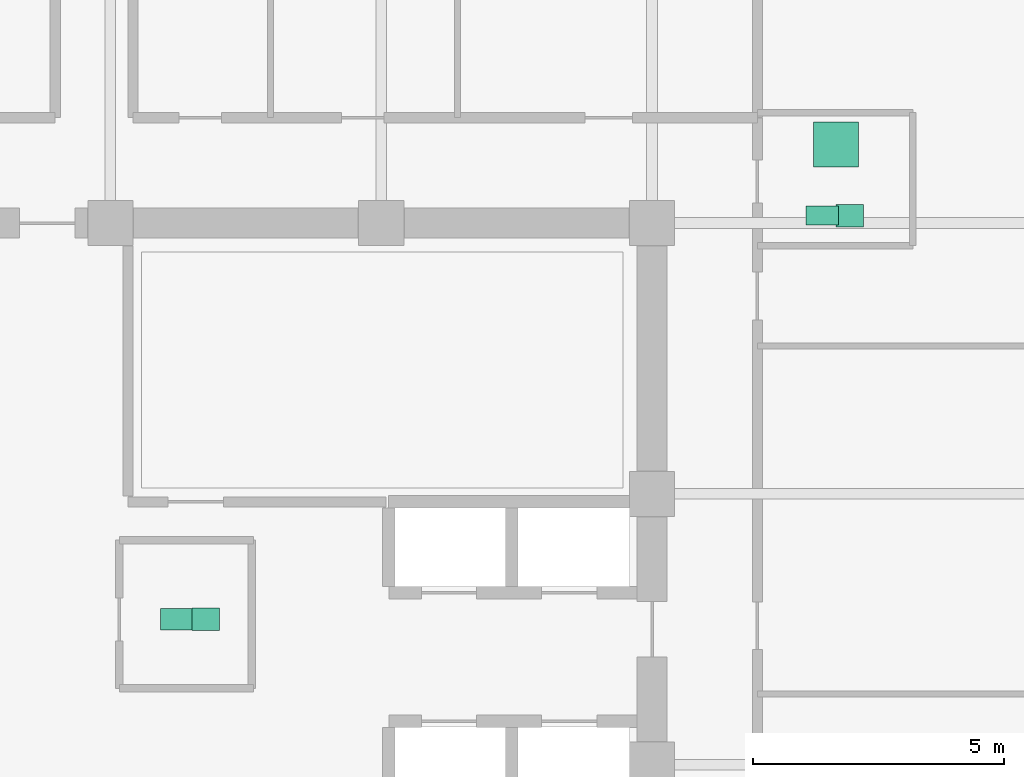
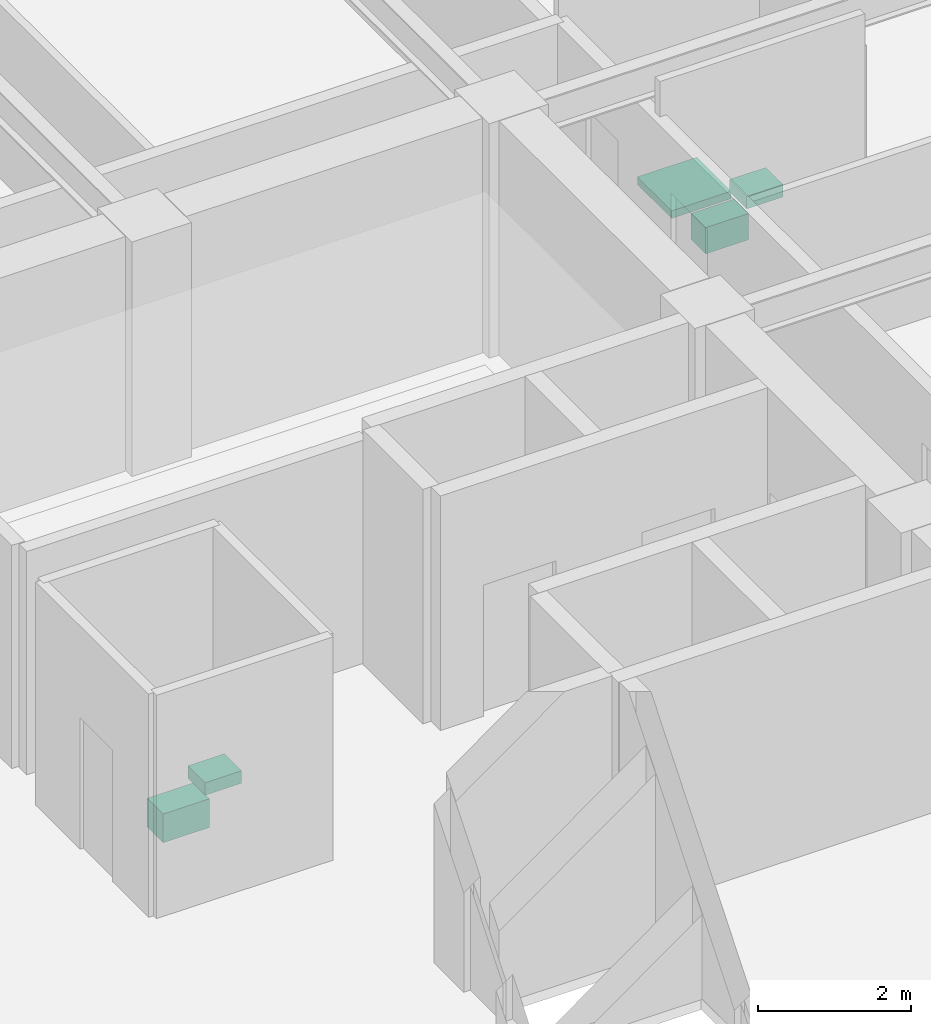
# One storey, part 32 of 32: 5 sanitary terminals.
"""IFC4 building model written with IfcOpenShell, lengths in metres."""

from ifc_helpers import new_model, si_unit, direction, frame, origin, origin_2d, place, context, subcontext, project, spatial, rectangle, extrude, material, type_object, element, save


model = new_model("IFC4")

# Units and contexts
model_context = context("Model", 3, precision=1e-05, world=origin(), true_north=direction((0.0, 1.0)))
body_context = subcontext(model_context, "Body", "Model", "MODEL_VIEW")
ifc_project = project(units=[si_unit("LENGTHUNIT", "METRE"), si_unit("AREAUNIT", "SQUARE_METRE"), si_unit("VOLUMEUNIT", "CUBIC_METRE"), si_unit("PLANEANGLEUNIT", "RADIAN"), si_unit("MASSUNIT", "GRAM", prefix="KILO")], contexts=[model_context])

# Site, building, storey
site_placement = place(None, origin())
site = spatial("IfcSite", under=ifc_project, at=site_placement, CompositionType="ELEMENT")
building_placement = place(site_placement, origin())
building = spatial("IfcBuilding", under=site, at=building_placement, Name="Surkhivell Harbour Commons", CompositionType="ELEMENT")
storey_placement = place(building_placement, frame((0.0, 0.0, 223.5)))
storey = spatial("IfcBuildingStorey", under=building, at=storey_placement, Name="L58", CompositionType="ELEMENT", Elevation=223.5)

# Sanitary terminals
ifc_material_1 = material(Name="Vitreous china washbasin", Category="other")
sanitary_terminal_type_1 = type_object("IfcSanitaryTerminalType", Name="SAN-BSN", PredefinedType="WASHHANDBASIN", material=ifc_material_1)
for number, where, z_axis, x_axis, name in (
    (1, (1.89990234375, 2.89990234375, 0.72021484375), (0.0, 0.0, 1.0), (1.0, 0.0, 0.0), "L58 Core Accessible WC Washbasin"),
    (2, (14.739990234375, 10.949951171875, 0.72021484375), (0.0, 0.0, 1.0), (1.0, 0.0, 0.0), "L58 East Communal Bathroom WC Washbasin"),
):
    element("IfcSanitaryTerminal", number, at=place(storey_placement, frame(where, z_axis=z_axis, x_axis=x_axis)), inside=storey, type_object=sanitary_terminal_type_1, Name=name, PredefinedType="WASHHANDBASIN", context=body_context, shape_type="SweptSolid", body=[
        extrude(rectangle(XDim=0.550048828125, YDim=0.449951171875, at=origin_2d()), origin(), (0.0, 0.0, 1.0), 0.199951171875),
    ])
ifc_material_2 = material(Name="Glazed porcelain shower tray", Category="other")
sanitary_terminal_type_2 = type_object("IfcSanitaryTerminalType", Name="SAN-SHW", PredefinedType="SHOWER", material=ifc_material_2)
sanitary_terminal_1_placement = place(storey_placement, frame((14.469970703125, 12.3701171875, 0.0), z_axis=(0.0, 0.0, 1.0), x_axis=(1.0, 0.0, 0.0)))
element("IfcSanitaryTerminal", 3, at=sanitary_terminal_1_placement, inside=storey, type_object=sanitary_terminal_type_2, Name="L58 East Communal Shower Tray", PredefinedType="SHOWER", context=body_context, shape_type="SweptSolid", body=[
    extrude(rectangle(XDim=0.89990234375, YDim=0.89990234375, at=origin_2d()), origin(), (0.0, 0.0, 1.0), 0.1201171875),
])
ifc_material_3 = material(Name="Vitreous china sanitaryware", Category="other")
sanitary_terminal_type_3 = type_object("IfcSanitaryTerminalType", Name="SAN-WC-ACC", PredefinedType="TOILETPAN", material=ifc_material_3)
sanitary_terminal_2_placement = place(storey_placement, frame((1.35009765625, 2.89990234375, 0.169921875), z_axis=(0.0, 0.0, 1.0), x_axis=(1.0, 0.0, 0.0)))
element("IfcSanitaryTerminal", 4, at=sanitary_terminal_2_placement, inside=storey, type_object=sanitary_terminal_type_3, Name="L58 Core Accessible WC", PredefinedType="TOILETPAN", context=body_context, shape_type="SweptSolid", body=[
    extrude(rectangle(XDim=0.699951171875, YDim=0.419921875, at=origin_2d()), origin(), (0.0, 0.0, 1.0), 0.4599609375),
])
sanitary_terminal_type_4 = type_object("IfcSanitaryTerminalType", Name="SAN-WC-STD", PredefinedType="TOILETPAN", material=ifc_material_3)
sanitary_terminal_3_placement = place(storey_placement, frame((14.18994140625, 10.949951171875, 0.18994140625), z_axis=(0.0, 0.0, 1.0), x_axis=(1.0, 0.0, 0.0)))
element("IfcSanitaryTerminal", 5, at=sanitary_terminal_3_placement, inside=storey, type_object=sanitary_terminal_type_4, Name="L58 East Communal Bathroom WC", PredefinedType="TOILETPAN", context=body_context, shape_type="SweptSolid", body=[
    extrude(rectangle(XDim=0.64990234375, YDim=0.3798828125, at=origin_2d()), origin(), (0.0, 0.0, 1.0), 0.419921875),
])

save(model, "model.ifc")
